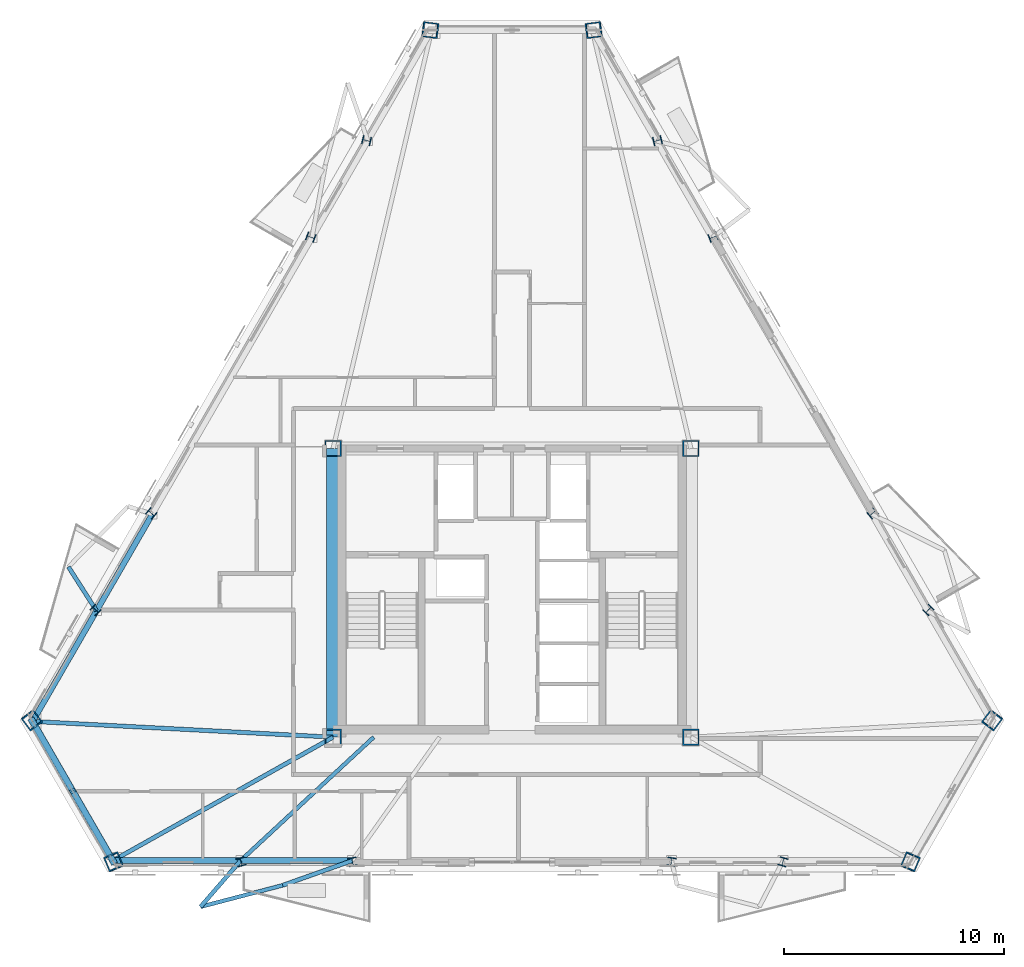
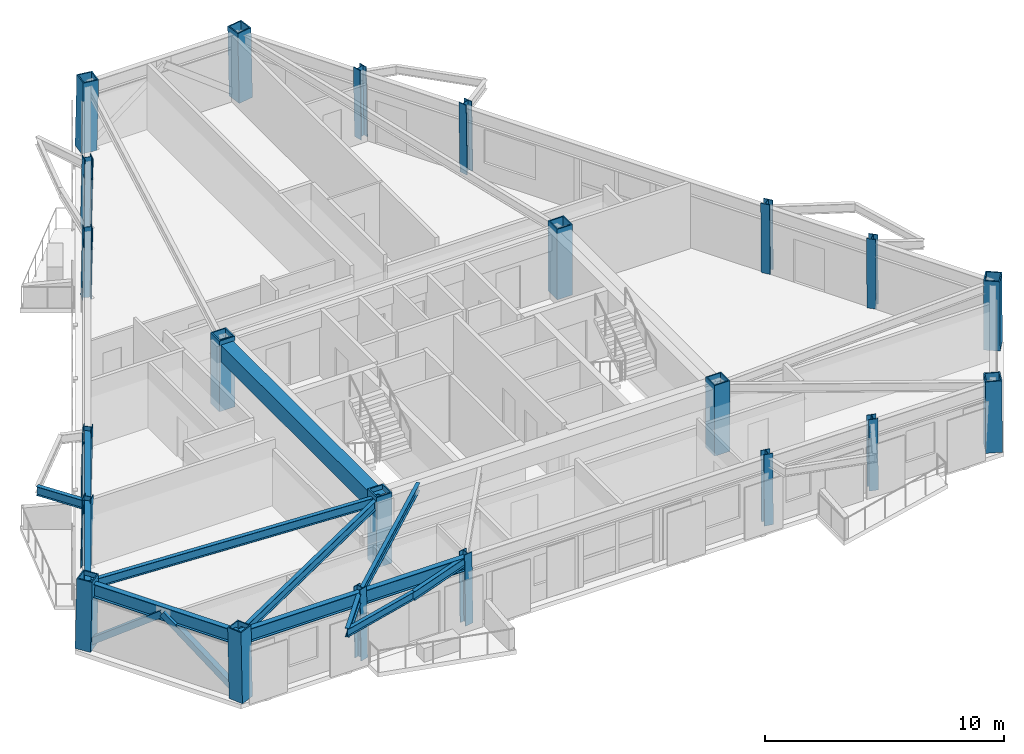
# One storey, part 1 of 13: 22 columns, 13 beams, 2 members.
"""IFC4 building model written with IfcOpenShell, lengths in metres."""

from ifc_helpers import new_model, si_unit, direction, frame, origin, origin_2d, place, context, subcontext, project, spatial, rectangle, hollow_rectangle, i_section, extrude, material, material_profile, profile_set, type_object, element, save


model = new_model("IFC4")

# Units and contexts
model_context = context("Model", 3, precision=1e-05, world=origin(), true_north=direction((0.0, 1.0)))
body_context = subcontext(model_context, "Body", "Model", "MODEL_VIEW")
ifc_project = project(units=[si_unit("LENGTHUNIT", "METRE"), si_unit("AREAUNIT", "SQUARE_METRE"), si_unit("VOLUMEUNIT", "CUBIC_METRE"), si_unit("PLANEANGLEUNIT", "RADIAN"), si_unit("MASSUNIT", "GRAM", prefix="KILO")], contexts=[model_context])

# Site, building, storey
site_placement = place(None, origin())
site = spatial("IfcSite", under=ifc_project, at=site_placement, CompositionType="ELEMENT")
building_placement = place(site_placement, origin())
building = spatial("IfcBuilding", under=site, at=building_placement, Name="Oramaril Tower", CompositionType="ELEMENT")
storey_placement = place(building_placement, frame((0.0, 0.0, 197.39990234375)))
storey = spatial("IfcBuildingStorey", under=building, at=storey_placement, Name="L52", CompositionType="ELEMENT", Elevation=197.39990234375)

# Columns
ifc_material_1 = material(Name="Steel ASTM A572 Gr 50", Category="steel")
ifc_material_profile_1 = material_profile(ifc_material_1, hollow_rectangle(XDim=0.75, YDim=0.75, WallThickness=0.06005859375, at=origin_2d()), Name="BOX750X750X60")
ifc_profile_set_1 = profile_set([ifc_material_profile_1], Name="Steel ASTM A572 Gr 50")
column_type_1 = type_object("IfcColumnType", Name="CT-CC4", PredefinedType="COLUMN", material=ifc_profile_set_1)
for number, where, z_axis, x_axis, name in (
    (1, (29.35009765625, 11.0, 0.0), (0.0, 0.0, 1.0), (1.0, 0.0, 0.0), "L52 Core Column CC-1"),
    (2, (45.64990234375, 11.0, 0.0), (0.0, 0.0, 1.0), (1.0, 0.0, 0.0), "L52 Core Column CC-2"),
    (3, (45.64990234375, 24.14990234375, 0.0), (0.0, 0.0, 1.0), (1.0, 0.0, 0.0), "L52 Core Column CC-3"),
    (4, (29.35009765625, 24.14990234375, 0.0), (0.0, 0.0, 1.0), (1.0, 0.0, 0.0), "L52 Core Column CC-4"),
):
    element("IfcColumn", number, at=place(storey_placement, frame(where, z_axis=z_axis, x_axis=x_axis)), inside=storey, type_object=column_type_1, Name=name, PredefinedType="COLUMN", context=body_context, shape_type="SweptSolid", body=[
        extrude(hollow_rectangle(XDim=0.75, YDim=0.75, WallThickness=0.06005859375, at=origin_2d()), origin(), (0.0, 0.0, 1.0), 3.60009765625),
    ])
ifc_material_2 = material(Name="Steel ASTM A572 Gr 50", Category="steel")
ifc_material_profile_2 = material_profile(ifc_material_2, hollow_rectangle(XDim=0.699951171875, YDim=0.699951171875, WallThickness=0.054931640625, at=origin_2d()), Name="BOX700X700X55")
ifc_profile_set_2 = profile_set([ifc_material_profile_2], Name="Steel ASTM A572 Gr 50")
column_type_2 = type_object("IfcColumnType", Name="CT-TC4", PredefinedType="COLUMN", material=ifc_profile_set_2)
for number, where, z_axis, x_axis, name in (
    (5, (15.619384765625, 11.77880859375, 0.004638671875), (0.012642540595, -0.016720779496, 0.999780266709), (0.797659331282, 0.603108274872, 0.0), "L52 Tube Column TC-01"),
    (6, (19.353271484375, 5.3115234375, 0.004638671875), (-0.008088523261, 0.019235731788, 0.999782257501), (-0.921819213908, -0.387620093481, 0.0), "L52 Tube Column TC-02"),
    (7, (55.646728515625, 5.3115234375, 0.004638671875), (0.008088523261, 0.019235731788, 0.999782257501), (-0.921819213908, 0.387620093481, 0.0), "L52 Tube Column TC-03"),
    (8, (59.380615234375, 11.77880859375, 0.004638671875), (-0.012642540595, -0.016720779496, 0.999780266709), (0.797659331282, -0.603108274872, 0.0), "L52 Tube Column TC-04"),
    (9, (41.23388671875, 43.2099609375, 0.004638671875), (-0.020799016236, -0.00265085501, 0.999780162781), (0.126428281923, -0.991975750475, 0.0), "L52 Tube Column TC-05"),
    (10, (33.76611328125, 43.2099609375, 0.004638671875), (0.020799016236, -0.00265085501, 0.999780162781), (0.126428281923, 0.991975750475, 0.0), "L52 Tube Column TC-06"),
):
    element("IfcColumn", number, at=place(storey_placement, frame(where, z_axis=z_axis, x_axis=x_axis)), inside=storey, type_object=column_type_2, Name=name, PredefinedType="COLUMN", context=body_context, shape_type="SweptSolid", body=[
        extrude(hollow_rectangle(XDim=0.699951171875, YDim=0.699951171875, WallThickness=0.054931640625, at=origin_2d()), origin(), (0.0, 0.0, 1.0), 3.591796875),
    ])
ifc_material_3 = material(Name="Steel ASTM A572 Gr 50", Category="steel")
ifc_material_profile_3 = material_profile(ifc_material_3, i_section(OverallWidth=0.39892578125, OverallDepth=0.385986328125, WebThickness=0.02099609375, FlangeThickness=0.033203125, at=origin_2d()), Name="W14X176")
ifc_profile_set_3 = profile_set([ifc_material_profile_3], Name="Steel ASTM A572 Gr 50")
column_type_3 = type_object("IfcColumnType", Name="CT-TF4", PredefinedType="COLUMN", material=ifc_profile_set_3)
for number, where, z_axis, x_axis, name in (
    (11, (25.16015625, 5.3115234375, 0.004638671875), (-0.00550573014, 0.019236069502, 0.999799810245), (-0.961395648323, -0.275169779202, 0.0), "L52 Tube Column TC-07"),
    (12, (30.2412109375, 5.3115234375, 0.004638671875), (-0.003262686983, 0.019236258673, 0.999809642495), (-0.985919093743, -0.167223026501, 0.0), "L52 Tube Column TC-08"),
    (13, (44.7587890625, 5.3115234375, 0.004638671875), (0.003262686983, 0.019236258673, 0.999809642495), (-0.985919093743, 0.167223026501, 0.0), "L52 Tube Column TC-09"),
    (14, (49.83984375, 5.3115234375, 0.004638671875), (0.00550573014, 0.019236069502, 0.999799810245), (-0.961395648323, 0.275169779202, 0.0), "L52 Tube Column TC-10"),
    (15, (56.47705078125, 16.8076171875, 0.004638671875), (-0.013934245024, -0.014410048513, 0.999799073473), (0.718875400752, -0.69513894884, 0.0), "L52 Tube Column TC-11"),
    (16, (53.9365234375, 21.2080078125, 0.004638671875), (-0.015021956839, -0.012438995935, 0.999809788006), (0.637781668043, -0.770217205669, 0.0), "L52 Tube Column TC-12"),
    (17, (46.677734375, 33.780517578125, 0.004638671875), (-0.018284642988, -0.006797265051, 0.999809716405), (0.348448977525, -0.937327749542, 0.0), "L52 Tube Column TC-13"),
    (18, (44.13720703125, 38.180908203125, 0.004638671875), (-0.019439970613, -0.004893978616, 0.999799048067), (0.244130923942, -0.969742281215, 0.0), "L52 Tube Column TC-14"),
    (19, (30.86279296875, 38.180908203125, 0.004638671875), (0.019439970613, -0.004893978616, 0.999799048067), (0.244130923942, 0.969742281215, 0.0), "L52 Tube Column TC-15"),
    (20, (28.322265625, 33.780517578125, 0.004638671875), (0.018284642988, -0.006797265051, 0.999809716405), (0.348448977525, 0.937327749542, 0.0), "L52 Tube Column TC-16"),
    (21, (21.0634765625, 21.2080078125, 0.004638671875), (0.015021956839, -0.012438995935, 0.999809788006), (0.637781668043, 0.770217205669, 0.0), "L52 Tube Column TC-17"),
    (22, (18.52294921875, 16.8076171875, 0.004638671875), (0.013934245024, -0.014410048513, 0.999799073473), (0.718875400752, 0.69513894884, 0.0), "L52 Tube Column TC-18"),
):
    element("IfcColumn", number, at=place(storey_placement, frame(where, z_axis=z_axis, x_axis=x_axis)), inside=storey, type_object=column_type_3, Name=name, PredefinedType="COLUMN", context=body_context, shape_type="SweptSolid", body=[
        extrude(i_section(OverallWidth=0.39892578125, OverallDepth=0.385986328125, WebThickness=0.02099609375, FlangeThickness=0.033203125, at=origin_2d()), origin(), (0.0, 0.0, 1.0), 3.591796875),
    ])

# Beams
ifc_material_4 = material(Name="Steel ASTM A572 Gr 50", Category="steel")
ifc_material_profile_4 = material_profile(ifc_material_4, i_section(OverallWidth=0.19091796875, OverallDepth=0.45703125, WebThickness=0.009033203125, FlangeThickness=0.014404296875, at=origin_2d()), Name="W18X50")
ifc_profile_set_4 = profile_set([ifc_material_profile_4], Name="Steel ASTM A572 Gr 50")
beam_type_1 = type_object("IfcBeamType", Name="BT-BB1", PredefinedType="BEAM", material=ifc_profile_set_4)
beam_1_placement = place(storey_placement, frame((29.35009765625, 11.0, 3.151611328125), z_axis=(-0.998623679468, 0.052447562436, 0.0), x_axis=(-0.052447562436, -0.998623679468, 0.0)))
element("IfcBeam", 23, at=beam_1_placement, inside=storey, type_object=beam_type_1, Name="L52 Radial Primary Beam RB-01", PredefinedType="BEAM", context=body_context, shape_type="SweptSolid", body=[
    extrude(i_section(OverallWidth=0.19091796875, OverallDepth=0.45703125, WebThickness=0.009033203125, FlangeThickness=0.014404296875, at=origin_2d()), origin(), (0.0, 0.0, 1.0), 13.7041015625),
])
beam_2_placement = place(storey_placement, frame((29.35009765625, 11.0, 3.151611328125), z_axis=(-0.87232448016, -0.488927398817, 0.0), x_axis=(0.488927398817, -0.87232448016, 0.0)))
element("IfcBeam", 24, at=beam_2_placement, inside=storey, type_object=beam_type_1, Name="L52 Radial Primary Beam RB-02", PredefinedType="BEAM", context=body_context, shape_type="SweptSolid", body=[
    extrude(i_section(OverallWidth=0.19091796875, OverallDepth=0.45703125, WebThickness=0.009033203125, FlangeThickness=0.014404296875, at=origin_2d()), origin(), (0.0, 0.0, 1.0), 11.493408203125),
])
beam_3_placement = place(storey_placement, frame((25.140380859375, 5.380615234375, 3.151611328125), z_axis=(-0.65534010552, -0.755333930191, 0.0), x_axis=(0.755333930191, -0.65534010552, 0.0)))
element("IfcBeam", 25, at=beam_3_placement, inside=storey, type_object=beam_type_1, Name="L52 Balcony Column-Framed Cantilever 01.1", PredefinedType="BEAM", context=body_context, shape_type="SweptSolid", body=[
    extrude(i_section(OverallWidth=0.19091796875, OverallDepth=0.45703125, WebThickness=0.009033203125, FlangeThickness=0.014404296875, at=origin_2d()), origin(), (0.0, 0.0, 1.0), 2.790771484375),
])
beam_4_placement = place(storey_placement, frame((30.2294921875, 5.380615234375, 3.151611328125), z_axis=(-0.942273648647, -0.334843800996, 0.0), x_axis=(0.334843800996, -0.942273648647, 0.0)))
element("IfcBeam", 26, at=beam_4_placement, inside=storey, type_object=beam_type_1, Name="L52 Balcony Column-Framed Cantilever 01.2", PredefinedType="BEAM", context=body_context, shape_type="SweptSolid", body=[
    extrude(i_section(OverallWidth=0.19091796875, OverallDepth=0.45703125, WebThickness=0.009033203125, FlangeThickness=0.014404296875, at=origin_2d()), origin(), (0.0, 0.0, 1.0), 3.368408203125),
])
beam_5_placement = place(storey_placement, frame((18.572998046875, 16.755859375, 3.151611328125), z_axis=(-0.537726287031, 0.843119469729, 0.0), x_axis=(-0.843119469729, -0.537726287031, 0.0)))
element("IfcBeam", 27, at=beam_5_placement, inside=storey, type_object=beam_type_1, Name="L52 Balcony Column-Framed Cantilever 06.2", PredefinedType="BEAM", context=body_context, shape_type="SweptSolid", body=[
    extrude(i_section(OverallWidth=0.19091796875, OverallDepth=0.45703125, WebThickness=0.009033203125, FlangeThickness=0.014404296875, at=origin_2d()), origin(), (0.0, 0.0, 1.0), 2.3759765625),
])
ifc_material_5 = material(Name="Concrete C50/60", Category="concrete")
ifc_material_profile_5 = material_profile(ifc_material_5, rectangle(XDim=0.60009765625, YDim=0.85009765625, at=origin_2d()), Name="CB600X850")
ifc_profile_set_5 = profile_set([ifc_material_profile_5], Name="Concrete C50/60")
beam_type_2 = type_object("IfcBeamType", Name="BT-CB2", PredefinedType="BEAM", material=ifc_profile_set_5)
beam_6_placement = place(storey_placement, frame((29.35009765625, 24.14990234375, 2.955078125), z_axis=(0.0, -1.0, 0.0), x_axis=(1.0, 0.0, 0.0)))
element("IfcBeam", 28, at=beam_6_placement, inside=storey, type_object=beam_type_2, Name="L52 Core Header Beam CB-4", PredefinedType="BEAM", context=body_context, shape_type="SweptSolid", body=[
    extrude(rectangle(XDim=0.60009765625, YDim=0.85009765625, at=origin_2d()), origin(), (0.0, 0.0, 1.0), 13.14990234375),
])
ifc_material_6 = material(Name="Steel ASTM A572 Gr 50", Category="steel")
ifc_material_profile_6 = material_profile(ifc_material_6, i_section(OverallWidth=0.177978515625, OverallDepth=0.404052734375, WebThickness=0.007568359375, FlangeThickness=0.010986328125, at=origin_2d()), Name="W16X36")
ifc_profile_set_6 = profile_set([ifc_material_profile_6], Name="Steel ASTM A572 Gr 50")
beam_type_3 = type_object("IfcBeamType", Name="BT-SB1", PredefinedType="BEAM", material=ifc_profile_set_6)
beam_7_placement = place(storey_placement, frame((31.199951171875, 11.0, 3.177978515625), z_axis=(-0.733237358896, -0.679972775572, 0.0), x_axis=(0.679972775572, -0.733237358896, 0.0)))
element("IfcBeam", 29, at=beam_7_placement, inside=storey, type_object=beam_type_3, Name="L52 Secondary Floor Beam SB-01", PredefinedType="BEAM", context=body_context, shape_type="SweptSolid", body=[
    extrude(i_section(OverallWidth=0.177978515625, OverallDepth=0.404052734375, WebThickness=0.007568359375, FlangeThickness=0.010986328125, at=origin_2d()), origin(), (0.0, 0.0, 1.0), 8.26416015625),
])
beam_8_placement = place(storey_placement, frame((23.3115234375, 3.272705078125, 3.177978515625), z_axis=(0.967407922874, 0.253223045479, 0.0), x_axis=(-0.253223045479, 0.967407922874, 0.0)))
element("IfcBeam", 30, at=beam_8_placement, inside=storey, type_object=beam_type_3, Name="L52 Balcony Edge Tie Beam 01", PredefinedType="BEAM", context=body_context, shape_type="SweptSolid", body=[
    extrude(i_section(OverallWidth=0.177978515625, OverallDepth=0.404052734375, WebThickness=0.007568359375, FlangeThickness=0.010986328125, at=origin_2d()), origin(), (0.0, 0.0, 1.0), 3.8701171875),
])
ifc_material_7 = material(Name="Steel ASTM A572 Gr 50", Category="steel")
ifc_material_profile_7 = material_profile(ifc_material_7, i_section(OverallWidth=0.257080078125, OverallDepth=0.693115234375, WebThickness=0.014404296875, FlangeThickness=0.023681640625, at=origin_2d()), Name="W27X114")
ifc_profile_set_7 = profile_set([ifc_material_profile_7], Name="Steel ASTM A572 Gr 50")
beam_type_4 = type_object("IfcBeamType", Name="BT-SP4", PredefinedType="SPANDREL", material=ifc_profile_set_7)
beam_9_placement = place(storey_placement, frame((15.664794921875, 11.71875, 3.03369140625), z_axis=(0.50001024923, -0.866019486308, 0.0), x_axis=(0.866019486308, 0.50001024923, 0.0)))
element("IfcBeam", 31, at=beam_9_placement, inside=storey, type_object=beam_type_4, Name="L52 Perimeter Spandrel 01", PredefinedType="SPANDREL", context=body_context, shape_type="SweptSolid", body=[
    extrude(i_section(OverallWidth=0.257080078125, OverallDepth=0.693115234375, WebThickness=0.014404296875, FlangeThickness=0.023681640625, at=origin_2d()), origin(), (0.0, 0.0, 1.0), 7.318603515625),
])
beam_10_placement = place(storey_placement, frame((19.32421875, 5.380615234375, 3.03369140625), z_axis=(1.0, 0.0, 0.0), x_axis=(0.0, 1.0, 0.0)))
element("IfcBeam", 32, at=beam_10_placement, inside=storey, type_object=beam_type_4, Name="L52 Perimeter Spandrel 02", PredefinedType="SPANDREL", context=body_context, shape_type="SweptSolid", body=[
    extrude(i_section(OverallWidth=0.257080078125, OverallDepth=0.693115234375, WebThickness=0.014404296875, FlangeThickness=0.023681640625, at=origin_2d()), origin(), (0.0, 0.0, 1.0), 5.816162109375),
])
for number, where, z_axis, x_axis, name in (
    (33, (25.140380859375, 5.380615234375, 3.03369140625), (1.0, 0.0, 0.0), (0.0, 1.0, 0.0), "L52 Perimeter Spandrel 03"),
    (34, (21.117431640625, 21.163330078125, 3.03369140625), (-0.499967459678, -0.866044190133, 0.0), (0.866044190133, -0.499967459678, 0.0), "L52 Perimeter Spandrel 17"),
):
    element("IfcBeam", number, at=place(storey_placement, frame(where, z_axis=z_axis, x_axis=x_axis)), inside=storey, type_object=beam_type_4, Name=name, PredefinedType="SPANDREL", context=body_context, shape_type="SweptSolid", body=[
        extrude(i_section(OverallWidth=0.257080078125, OverallDepth=0.693115234375, WebThickness=0.014404296875, FlangeThickness=0.023681640625, at=origin_2d()), origin(), (0.0, 0.0, 1.0), 5.089111328125),
    ])
beam_11_placement = place(storey_placement, frame((18.572998046875, 16.755859375, 3.03369140625), z_axis=(-0.50000343918, -0.866023418164, 0.0), x_axis=(0.866023418164, -0.50000343918, 0.0)))
element("IfcBeam", 35, at=beam_11_placement, inside=storey, type_object=beam_type_4, Name="L52 Perimeter Spandrel 18", PredefinedType="SPANDREL", context=body_context, shape_type="SweptSolid", body=[
    extrude(i_section(OverallWidth=0.257080078125, OverallDepth=0.693115234375, WebThickness=0.014404296875, FlangeThickness=0.023681640625, at=origin_2d()), origin(), (0.0, 0.0, 1.0), 5.81640625),
])

# Members
ifc_material_8 = material(Name="Steel ASTM A572 Gr 50", Category="steel")
ifc_material_profile_8 = material_profile(ifc_material_8, hollow_rectangle(XDim=0.300048828125, YDim=0.300048828125, WallThickness=0.01611328125, at=origin_2d()), Name="HSS300X300X16")
ifc_profile_set_8 = profile_set([ifc_material_profile_8], Name="Steel ASTM A572 Gr 50")
member_type = type_object("IfcMemberType", Name="MT-KB2", PredefinedType="BRACE", material=ifc_profile_set_8)
for number, where, z_axis, x_axis, name in (
    (36, (15.619384765625, 11.77880859375, 0.18017578125), (0.397271691623, -0.68809514261, 0.607206948043), (0.866025525965, 0.499999788377, 0.0), "L52 Perimeter Chevron Brace KB-1A"),
    (37, (19.353271484375, 5.3115234375, 0.18017578125), (-0.397271691623, 0.68809514261, 0.607206948043), (-0.866025525965, -0.499999788377, 0.0), "L52 Perimeter Chevron Brace KB-1B"),
):
    element("IfcMember", number, at=place(storey_placement, frame(where, z_axis=z_axis, x_axis=x_axis)), inside=storey, type_object=member_type, Name=name, PredefinedType="BRACE", context=body_context, shape_type="SweptSolid", body=[
        extrude(hollow_rectangle(XDim=0.300048828125, YDim=0.300048828125, WallThickness=0.01611328125, at=origin_2d()), origin(), (0.0, 0.0, 1.0), 4.699462890625),
    ])

save(model, "model.ifc")
